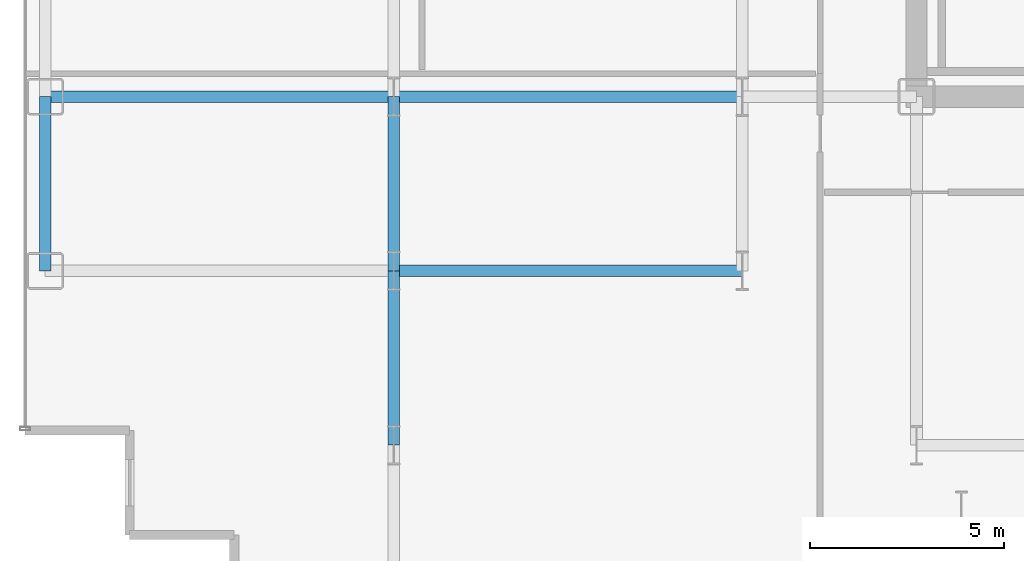
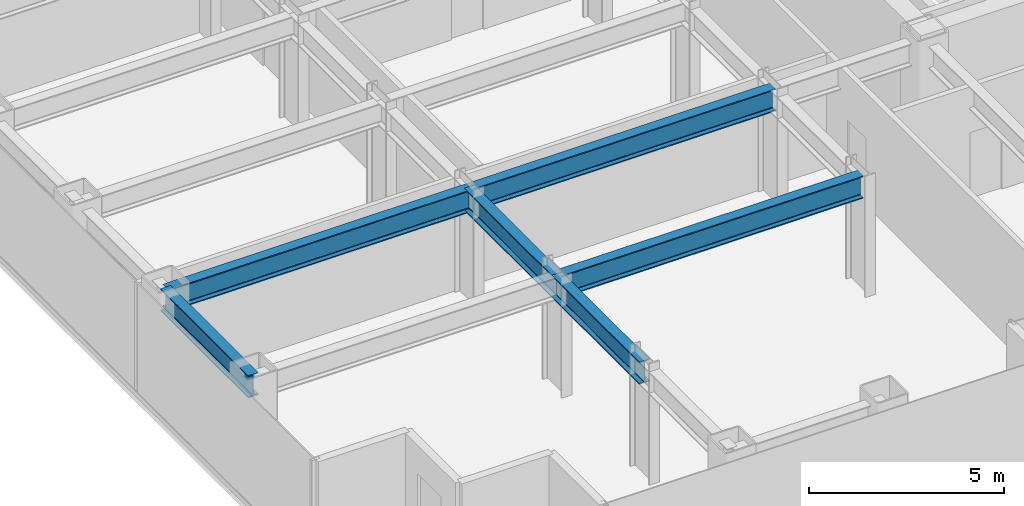
# One storey, part 3 of 26: 6 beams.
"""IFC4 building model written with IfcOpenShell, lengths in metres."""

import ifcopenshell
import ifcopenshell.guid

model = None  # the IFC model being written
_history = None  # IfcOwnerHistory: only IFC2X3 demands one
_inside = {}  # id of a spatial element -> (the spatial element, [elements in it])
_under = {}  # id of a project, library or spatial element -> (it, [spatial elements below it])
_declared = {}  # id of a project -> (the project, [libraries it declares])
_typed = {}  # id of a type object -> (the type object, [elements of that type])
_made_of = {}  # id of a material, layer set ... -> (it, [elements and type objects made of it])


def new_model(schema):
    """Start an empty IFC model of exactly this schema.

    Asked for "IFC4X3", IfcOpenShell would pick the latest addendum, in which some entities
    have other attributes; the version numbers below select the first issue.
    IFC2X3 requires an IfcOwnerHistory on every rooted entity: one is made here for all.
    """
    global model, _history
    if schema == "IFC4X3":
        model = ifcopenshell.file(schema_version=(4, 3, 0, 0))
    else:
        model = ifcopenshell.file(schema=schema)
    _inside.clear()
    _under.clear()
    _declared.clear()
    _typed.clear()
    _made_of.clear()
    _history = None
    if model.schema == "IFC2X3":
        org = make("IfcOrganization", Name="unknown")
        user = make(
            "IfcPersonAndOrganization",
            ThePerson=make("IfcPerson", FamilyName="unknown"),
            TheOrganization=org,
        )
        app = make(
            "IfcApplication",
            ApplicationDeveloper=org,
            Version="unknown",
            ApplicationFullName="unknown",
            ApplicationIdentifier="unknown",
        )
        _history = make(
            "IfcOwnerHistory",
            OwningUser=user,
            OwningApplication=app,
            ChangeAction="ADDED",
            CreationDate=0,
        )
    return model


def make(cls, **values):
    """One entity of the class cls with the attributes given. An attribute that is None is left unset."""
    return model.create_entity(
        cls, **{name: value for name, value in values.items() if value is not None}
    )


def rooted(cls, **values):
    """An entity with a GlobalId (a new one), such as an element, a storey or a relation."""
    return make(cls, GlobalId=ifcopenshell.guid.new(), OwnerHistory=_history, **values)


def si_unit(unit_type, name, prefix=None):
    """IfcSIUnit, for example si_unit("LENGTHUNIT", "METRE", prefix="MILLI")."""
    return make("IfcSIUnit", UnitType=unit_type, Prefix=prefix, Name=name)


def assignment(units):
    """IfcUnitAssignment: the units of a project."""
    return None if units is None else make("IfcUnitAssignment", Units=units)


def point(xyz):
    """IfcCartesianPoint."""
    return None if xyz is None else make("IfcCartesianPoint", Coordinates=xyz)


def direction(xyz):
    """IfcDirection."""
    return None if xyz is None else make("IfcDirection", DirectionRatios=xyz)


def frame(location, z_axis=None, x_axis=None):
    """IfcAxis2Placement3D, a coordinate frame: its origin and axes. An axis left out is left unset."""
    return make(
        "IfcAxis2Placement3D",
        Location=point(location),
        Axis=direction(z_axis),
        RefDirection=direction(x_axis),
    )


def frame_2d(location, x_axis=None):
    """IfcAxis2Placement2D, a coordinate frame in the plane: its origin and x axis."""
    return make(
        "IfcAxis2Placement2D", Location=point(location), RefDirection=direction(x_axis)
    )


def origin():
    """The frame at (0, 0, 0) with its axes left unset."""
    return frame((0.0, 0.0, 0.0))


def origin_2d():
    """The frame at (0, 0) in the plane with its x axis left unset."""
    return frame_2d((0.0, 0.0))


def place(relative_to, where):
    """IfcLocalPlacement: puts the frame where relative to a parent placement (None: the world)."""
    return make(
        "IfcLocalPlacement", PlacementRelTo=relative_to, RelativePlacement=where
    )


def context(
    kind, dimensions, precision=None, world=None, true_north=None, identifier=None
):
    """IfcGeometricRepresentationContext, for example the 3D "Model" context."""
    return make(
        "IfcGeometricRepresentationContext",
        ContextIdentifier=identifier,
        ContextType=kind,
        CoordinateSpaceDimension=dimensions,
        Precision=precision,
        WorldCoordinateSystem=world,
        TrueNorth=true_north,
    )


def subcontext(parent, identifier, kind, view, scale=None):
    """IfcGeometricRepresentationSubContext, for example "Body" below "Model"."""
    return make(
        "IfcGeometricRepresentationSubContext",
        ContextIdentifier=identifier,
        ContextType=kind,
        ParentContext=parent,
        TargetScale=scale,
        TargetView=view,
    )


def project(units=None, contexts=None):
    """IfcProject with its units and contexts."""
    return rooted(
        "IfcProject",
        Name="project",
        RepresentationContexts=contexts,
        UnitsInContext=assignment(units),
    )


def spatial(cls, under=None, at=None, **own):
    """A site, building, storey or space (cls), placed at a placement, below another one or the project."""
    s = rooted(cls, ObjectPlacement=at, **own)
    if under is not None:
        _under.setdefault(under.id(), (under, []))[1].append(s)
    return s


def profile(cls, at=None, kind="AREA", **sizes):
    """A parametric profile (cls). Its sizes go by their IFC names, for example OverallWidth=200.0."""
    return make(cls, ProfileType=kind, Position=at, **sizes)


def i_section(**sizes):
    """IfcIShapeProfileDef."""
    return profile("IfcIShapeProfileDef", **sizes)


def extrude(swept, where, along, depth):
    """IfcExtrudedAreaSolid: the profile swept, set in the frame where, extruded along a direction by depth."""
    return make(
        "IfcExtrudedAreaSolid",
        SweptArea=swept,
        Position=where,
        ExtrudedDirection=direction(along),
        Depth=depth,
    )


def shape(context_of_items, identifier, shape_type, items):
    """IfcShapeRepresentation: the items that make up one representation, for example the "Body"."""
    return make(
        "IfcShapeRepresentation",
        ContextOfItems=context_of_items,
        RepresentationIdentifier=identifier,
        RepresentationType=shape_type,
        Items=items,
    )


def source(mapping_origin, context_of_items, identifier, shape_type, items):
    """IfcRepresentationMap: a shape defined once, which mapped items show again and again."""
    return make(
        "IfcRepresentationMap",
        MappingOrigin=mapping_origin,
        MappedRepresentation=shape(context_of_items, identifier, shape_type, items),
    )


def transform(
    local_origin,
    x_axis=None,
    y_axis=None,
    z_axis=None,
    scale=None,
    scale2=None,
    scale3=None,
    uniform=True,
):
    """IfcCartesianTransformationOperator3D, or its non-uniform kind. x_axis, y_axis, z_axis: its Axis1, 2, 3."""
    if uniform:
        return make(
            "IfcCartesianTransformationOperator3D",
            Axis1=direction(x_axis),
            Axis2=direction(y_axis),
            LocalOrigin=point(local_origin),
            Scale=scale,
            Axis3=direction(z_axis),
        )
    return make(
        "IfcCartesianTransformationOperator3DnonUniform",
        Axis1=direction(x_axis),
        Axis2=direction(y_axis),
        LocalOrigin=point(local_origin),
        Scale=scale,
        Axis3=direction(z_axis),
        Scale2=scale2,
        Scale3=scale3,
    )


def mapped(mapping_source, mapping_target):
    """IfcMappedItem: shows the shape of a source again, moved by a transform."""
    return make(
        "IfcMappedItem", MappingSource=mapping_source, MappingTarget=mapping_target
    )


def material(Name=None, Category=None):
    """IfcMaterial."""
    return make("IfcMaterial", Name=Name, Category=Category)


def material_profile(
    of_material, cross_section, Name=None, Category=None, Priority=None
):
    """IfcMaterialProfile: a cross section and its material."""
    return make(
        "IfcMaterialProfile",
        Name=Name,
        Material=of_material,
        Profile=cross_section,
        Priority=Priority,
        Category=Category,
    )


def profile_set(profiles, Name=None, composite=None):
    """IfcMaterialProfileSet."""
    return make(
        "IfcMaterialProfileSet",
        Name=Name,
        MaterialProfiles=profiles,
        CompositeProfile=composite,
    )


def made_of(thing, what):
    """Note that an element or type object is made of a material, layer set ...; save() writes the relation."""
    if what is not None:
        _made_of.setdefault(what.id(), (what, []))[1].append(thing)
    return thing


def type_object(cls, material=None, **own):
    """A type object (cls), such as IfcWallType, which elements share."""
    return made_of(rooted(cls, **own), material)


def element(
    cls,
    number,
    at=None,
    inside=None,
    cuts=None,
    type_object=None,
    material=None,
    context=None,
    identifier="Body",
    shape_type=None,
    held_by="IfcProductDefinitionShape",
    body=None,
    shapes=None,
    **own,
):
    """One element of the class cls, such as IfcWall. Its Tag is "e" and its number.

    at: its placement. inside: the storey or other place that contains it. cuts: it is an
    opening in that element (IfcRelVoidsElement). A single representation is given by context,
    identifier, shape_type and body (its items); several are given by shapes. held_by: the class
    of the entity that holds the representations. save() writes the other relations.
    """
    e = rooted(cls, Tag="e%d" % number, ObjectPlacement=at, **own)
    if body is not None:
        shapes = [shape(context, identifier, shape_type, body)]
    if shapes is not None:
        e.Representation = make(held_by, Representations=shapes)
    if inside is not None:
        _inside.setdefault(inside.id(), (inside, []))[1].append(e)
    if cuts is not None:
        rooted(
            "IfcRelVoidsElement", RelatingBuildingElement=cuts, RelatedOpeningElement=e
        )
    if type_object is not None:
        _typed.setdefault(type_object.id(), (type_object, []))[1].append(e)
    return made_of(e, material)


def aggregate(whole, parts):
    """IfcRelAggregates: a whole, such as a stair, and the parts it consists of."""
    return rooted("IfcRelAggregates", RelatingObject=whole, RelatedObjects=parts)


def save(model, path):
    """Write the relations noted so far, then the file.

    IfcRelAggregates (storeys below a building ...), IfcRelContainedInSpatialStructure (elements
    in a storey), IfcRelDefinesByType, IfcRelAssociatesMaterial and IfcRelDeclares: one each for
    every whole, place, type object, material and project.
    """
    for whole, parts in _under.values():
        aggregate(whole, parts)
    for where, things in _inside.values():
        rooted(
            "IfcRelContainedInSpatialStructure",
            RelatedElements=things,
            RelatingStructure=where,
        )
    for kind, things in _typed.values():
        rooted("IfcRelDefinesByType", RelatedObjects=things, RelatingType=kind)
    for what, things in _made_of.values():
        rooted("IfcRelAssociatesMaterial", RelatedObjects=things, RelatingMaterial=what)
    for by, libraries in _declared.values():
        rooted("IfcRelDeclares", RelatingContext=by, RelatedDefinitions=libraries)
    model.write(path)


model = new_model("IFC4")

# Units and contexts
model_context = context("Model", 3, precision=1e-05, world=origin(), true_north=direction((0.0, 1.0)))
body_context = subcontext(model_context, "Body", "Model", "MODEL_VIEW")
ifc_project = project(units=[si_unit("LENGTHUNIT", "METRE"), si_unit("AREAUNIT", "SQUARE_METRE"), si_unit("VOLUMEUNIT", "CUBIC_METRE"), si_unit("PLANEANGLEUNIT", "RADIAN"), si_unit("MASSUNIT", "GRAM", prefix="KILO")], contexts=[model_context])

# Site, building, storey
site_placement = place(None, origin())
site = spatial("IfcSite", under=ifc_project, at=site_placement, CompositionType="ELEMENT")
building_placement = place(site_placement, origin())
building = spatial("IfcBuilding", under=site, at=building_placement, Name="Nefas-Gora Pilgrimage Tower", CompositionType="ELEMENT")
storey_placement = place(building_placement, frame((0.0, 0.0, 94.60009765625)))
storey = spatial("IfcBuildingStorey", under=building, at=storey_placement, Name="L22", CompositionType="ELEMENT", Elevation=94.60009765625)

# Beams
ifc_material = material(Name="Steel S355", Category="steel")
ifc_material_profile_1 = material_profile(ifc_material, i_section(OverallWidth=0.300048828125, OverallDepth=0.699951171875, WebThickness=0.01708984375, FlangeThickness=0.031982421875, FilletRadius=0.027099609375, at=origin_2d()), Name="HEB 700")
ifc_profile_set_1 = profile_set([ifc_material_profile_1], Name="Steel S355")
beam_type_1 = type_object("IfcBeamType", Name="BM-SPN-HEB600", PredefinedType="SPANDREL", material=ifc_profile_set_1)
shared_shape_1 = source(origin(), body_context, "Body", "SweptSolid", [
    extrude(i_section(OverallWidth=0.300048828125, OverallDepth=0.699951171875, WebThickness=0.01708984375, FlangeThickness=0.031982421875, FilletRadius=0.027099609375, at=origin_2d()), origin(), (0.0, 0.0, 1.0), 4.5),
])
beam_placement = place(storey_placement, frame((-33.75, -13.5, 3.199951171875), z_axis=(0.0, 1.0, 0.0), x_axis=(-1.0, 0.0, 0.0)))
element("IfcBeam", 1, at=beam_placement, inside=storey, type_object=beam_type_1, Name="L22 SP-01 beam", PredefinedType="SPANDREL", context=body_context, shape_type="MappedRepresentation", body=[
    mapped(shared_shape_1, transform((0.0, 0.0, 0.0), x_axis=(1.0, 0.0, 0.0), y_axis=(0.0, 1.0, 0.0), z_axis=(0.0, 0.0, 1.0), scale=1.0)),
])
ifc_material_profile_2 = material_profile(ifc_material, i_section(OverallWidth=0.300048828125, OverallDepth=0.699951171875, WebThickness=0.01708984375, FlangeThickness=0.031982421875, FilletRadius=0.027099609375, at=origin_2d()), Name="HEB 700")
ifc_profile_set_2 = profile_set([ifc_material_profile_2], Name="Steel S355")
beam_type_2 = type_object("IfcBeamType", Name="BM-GIR-HEB700", PredefinedType="BEAM", material=ifc_profile_set_2)
shared_shape_2 = source(origin(), body_context, "Body", "SweptSolid", [
    extrude(i_section(OverallWidth=0.300048828125, OverallDepth=0.699951171875, WebThickness=0.01708984375, FlangeThickness=0.031982421875, FilletRadius=0.027099609375, at=origin_2d()), origin(), (0.0, 0.0, 1.0), 9.0),
])
for number, where, z_axis, x_axis, name in (
    (2, (-33.75, -9.0, 3.199951171875), (1.0, 0.0, 0.0), (0.0, 1.0, 0.0), "L22 G-02 beam"),
    (3, (-24.75, -13.5, 3.199951171875), (1.0, 0.0, 0.0), (0.0, 1.0, 0.0), "L22 G-02 beam"),
    (4, (-24.75, -9.0, 3.199951171875), (1.0, 0.0, 0.0), (0.0, 1.0, 0.0), "L22 G-02 beam"),
):
    element("IfcBeam", number, at=place(storey_placement, frame(where, z_axis=z_axis, x_axis=x_axis)), inside=storey, type_object=beam_type_2, Name=name, PredefinedType="BEAM", context=body_context, shape_type="MappedRepresentation", body=[
        mapped(shared_shape_2, transform((0.0, 0.0, 0.0), x_axis=(1.0, 0.0, 0.0), y_axis=(0.0, 1.0, 0.0), z_axis=(0.0, 0.0, 1.0), scale=1.0)),
    ])
shared_shape_3 = source(origin(), body_context, "Body", "SweptSolid", [
    extrude(i_section(OverallWidth=0.300048828125, OverallDepth=0.699951171875, WebThickness=0.01708984375, FlangeThickness=0.031982421875, FilletRadius=0.027099609375, at=origin_2d()), origin(), (0.0, 0.0, 1.0), 4.5),
])
for number, where, z_axis, x_axis, name in (
    (5, (-24.75, -18.0, 3.199951171875), (0.0, 1.0, 0.0), (-1.0, 0.0, 0.0), "L22 G-02 beam"),
    (6, (-24.75, -13.5, 3.199951171875), (0.0, 1.0, 0.0), (-1.0, 0.0, 0.0), "L22 G-02 beam"),
):
    element("IfcBeam", number, at=place(storey_placement, frame(where, z_axis=z_axis, x_axis=x_axis)), inside=storey, type_object=beam_type_2, Name=name, PredefinedType="BEAM", context=body_context, shape_type="MappedRepresentation", body=[
        mapped(shared_shape_3, transform((0.0, 0.0, 0.0), x_axis=(1.0, 0.0, 0.0), y_axis=(0.0, 1.0, 0.0), z_axis=(0.0, 0.0, 1.0), scale=1.0)),
    ])

save(model, "model.ifc")
